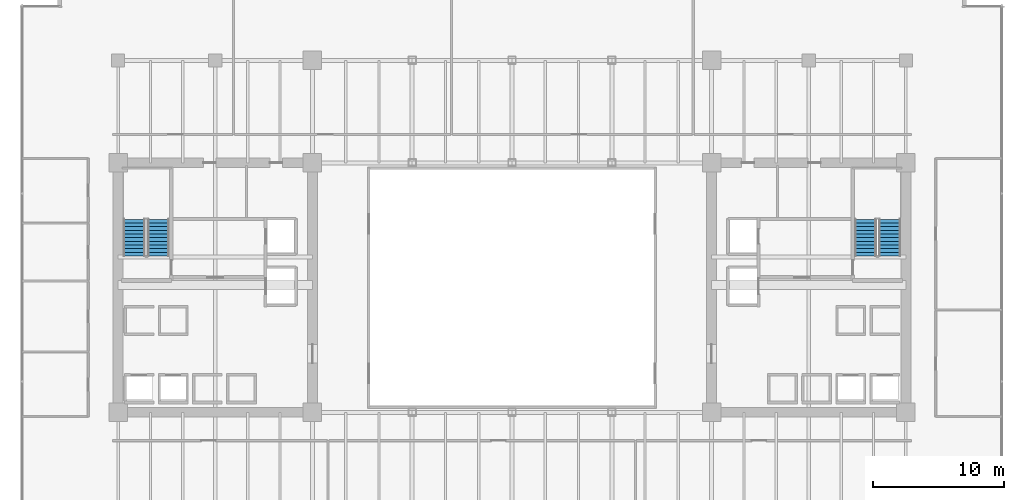
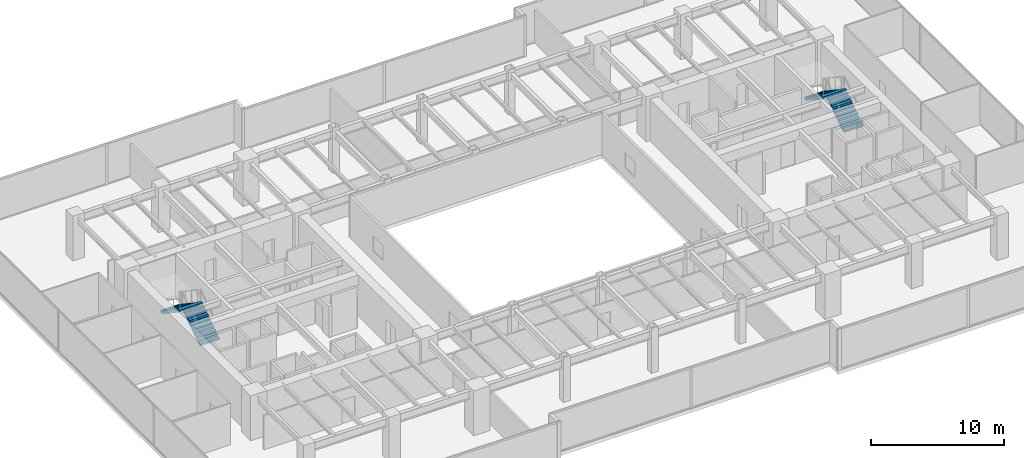
# One storey, part 33 of 35: 4 stair flights, 2 elements without a shape of their own.
"""IFC4 building model written with IfcOpenShell, lengths in metres."""

from ifc_helpers import new_model, si_unit, direction, frame, origin, place, context, subcontext, project, spatial, polyline, outline, extrude, source, transform, mapped, material, type_object, type_shapes, element, aggregate, save


model = new_model("IFC4")

# Units and contexts
model_context = context("Model", 3, precision=1e-05, world=origin(), true_north=direction((0.0, 1.0)))
body_context = subcontext(model_context, "Body", "Model", "MODEL_VIEW")
ifc_project = project(units=[si_unit("LENGTHUNIT", "METRE"), si_unit("AREAUNIT", "SQUARE_METRE"), si_unit("VOLUMEUNIT", "CUBIC_METRE"), si_unit("PLANEANGLEUNIT", "RADIAN"), si_unit("MASSUNIT", "GRAM", prefix="KILO")], contexts=[model_context])

# Site, building, storey
site_placement = place(None, origin())
site = spatial("IfcSite", under=ifc_project, at=site_placement, CompositionType="ELEMENT")
building_placement = place(site_placement, origin())
building = spatial("IfcBuilding", under=site, at=building_placement, Name="Haelvirn Gate Laboratories", CompositionType="ELEMENT")
storey_placement = place(building_placement, frame((0.0, 0.0, 90.800048828125)))
storey = spatial("IfcBuildingStorey", under=building, at=storey_placement, Name="L22", CompositionType="ELEMENT", Elevation=90.800048828125)

# Stair, stair flights
ifc_material = material(Name="Concrete C40/50", Category="concrete")
stair_type = type_object("IfcStairType", Name="ST-DOG-1650-R22", PredefinedType="HALF_TURN_STAIR", material=ifc_material)
stair_1_placement = place(storey_placement, origin())
stair_1 = element("IfcStair", 1, at=stair_1_placement, inside=storey, type_object=stair_type, Name="L22 Escape Stair ST1", PredefinedType="HALF_TURN_STAIR")
stair_flight_type = type_object("IfcStairFlightType", Name="STF-1650-R11", PredefinedType="STRAIGHT", material=ifc_material)
shared_shape = source(origin(), body_context, "Body", "SweptSolid", [
    extrude(outline(polyline([(0.0, 0.0), (0.0, 0.186279296875), (0.280029296875, 0.186279296875), (0.280029296875, 0.372802734375), (0.56005859375, 0.372802734375), (0.56005859375, 0.55908203125), (0.840087890625, 0.55908203125), (0.840087890625, 0.745361328125), (1.1201171875, 0.745361328125), (1.1201171875, 0.931884765625), (1.39990234375, 0.931884765625), (1.39990234375, 1.1181640625), (1.679931640625, 1.1181640625), (1.679931640625, 1.304443359375), (1.9599609375, 1.304443359375), (1.9599609375, 1.490966796875), (2.239990234375, 1.490966796875), (2.239990234375, 1.67724609375), (2.52001953125, 1.67724609375), (2.52001953125, 1.863525390625), (2.800048828125, 1.863525390625), (2.800048828125, 2.050048828125), (2.800048828125, 1.671630859375), (0.28857421875, 0.0), (0.0, 0.0)])), frame((0.0, 0.824951171875, 0.0), z_axis=(0.0, -1.0, 0.0), x_axis=(1.0, 0.0, 0.0)), (0.0, 0.0, 1.0), 1.64990234375),
])
type_shapes(stair_flight_type, [shared_shape])
stair_flight_1_placement = place(storey_placement, frame((10.47509765625, 26.699951171875, 0.0), z_axis=(0.0, 0.0, 1.0), x_axis=(0.0, 1.0, 0.0)))
stair_flight_1 = element("IfcStairFlight", 2, at=stair_flight_1_placement, type_object=stair_flight_type, Name="ST1 flight 1", NumberOfRisers=11, NumberOfTreads=10, PredefinedType="STRAIGHT", RiserHeight=0.186363636, TreadLength=0.28, context=body_context, shape_type="MappedRepresentation", body=[
    mapped(shared_shape, transform((0.0, 0.0, 0.0), scale=1.0)),
])
stair_flight_2_placement = place(storey_placement, frame((8.625, 29.5, 2.050048828125), z_axis=(0.0, 0.0, 1.0), x_axis=(0.0, -1.0, 0.0)))
stair_flight_2 = element("IfcStairFlight", 3, at=stair_flight_2_placement, type_object=stair_flight_type, Name="ST1 flight 2", NumberOfRisers=11, NumberOfTreads=10, PredefinedType="STRAIGHT", RiserHeight=0.186363636, TreadLength=0.28, context=body_context, shape_type="MappedRepresentation", body=[
    mapped(shared_shape, transform((0.0, 0.0, 0.0), scale=1.0)),
])
aggregate(stair_1, [stair_flight_1, stair_flight_2])

stair_2_placement = place(storey_placement, origin())
stair_2 = element("IfcStair", 4, at=stair_2_placement, inside=storey, type_object=stair_type, Name="L22 Escape Stair ST2", PredefinedType="HALF_TURN_STAIR")
stair_flight_3_placement = place(storey_placement, frame((66.175048828125, 26.699951171875, 0.0), z_axis=(0.0, 0.0, 1.0), x_axis=(0.0, 1.0, 0.0)))
stair_flight_3 = element("IfcStairFlight", 5, at=stair_flight_3_placement, type_object=stair_flight_type, Name="ST2 flight 1", NumberOfRisers=11, NumberOfTreads=10, PredefinedType="STRAIGHT", RiserHeight=0.186363636, TreadLength=0.28, context=body_context, shape_type="MappedRepresentation", body=[
    mapped(shared_shape, transform((0.0, 0.0, 0.0), scale=1.0)),
])
stair_flight_4_placement = place(storey_placement, frame((64.324951171875, 29.5, 2.050048828125), z_axis=(0.0, 0.0, 1.0), x_axis=(0.0, -1.0, 0.0)))
stair_flight_4 = element("IfcStairFlight", 6, at=stair_flight_4_placement, type_object=stair_flight_type, Name="ST2 flight 2", NumberOfRisers=11, NumberOfTreads=10, PredefinedType="STRAIGHT", RiserHeight=0.186363636, TreadLength=0.28, context=body_context, shape_type="MappedRepresentation", body=[
    mapped(shared_shape, transform((0.0, 0.0, 0.0), scale=1.0)),
])
aggregate(stair_2, [stair_flight_3, stair_flight_4])

save(model, "model.ifc")
